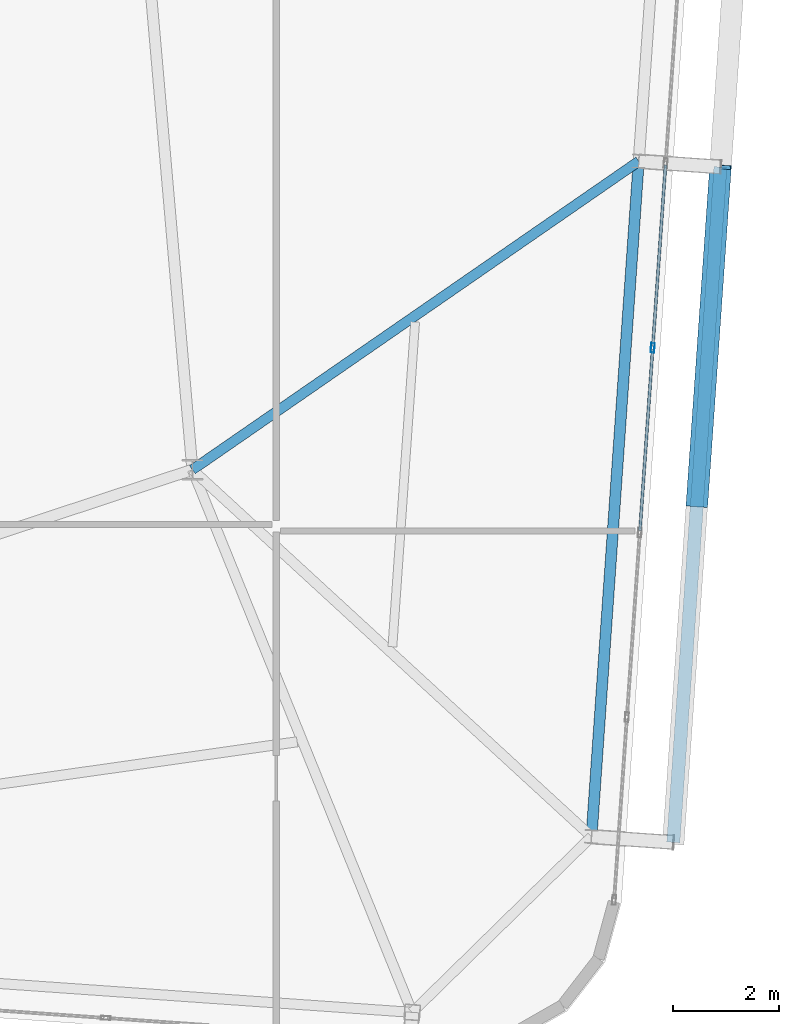
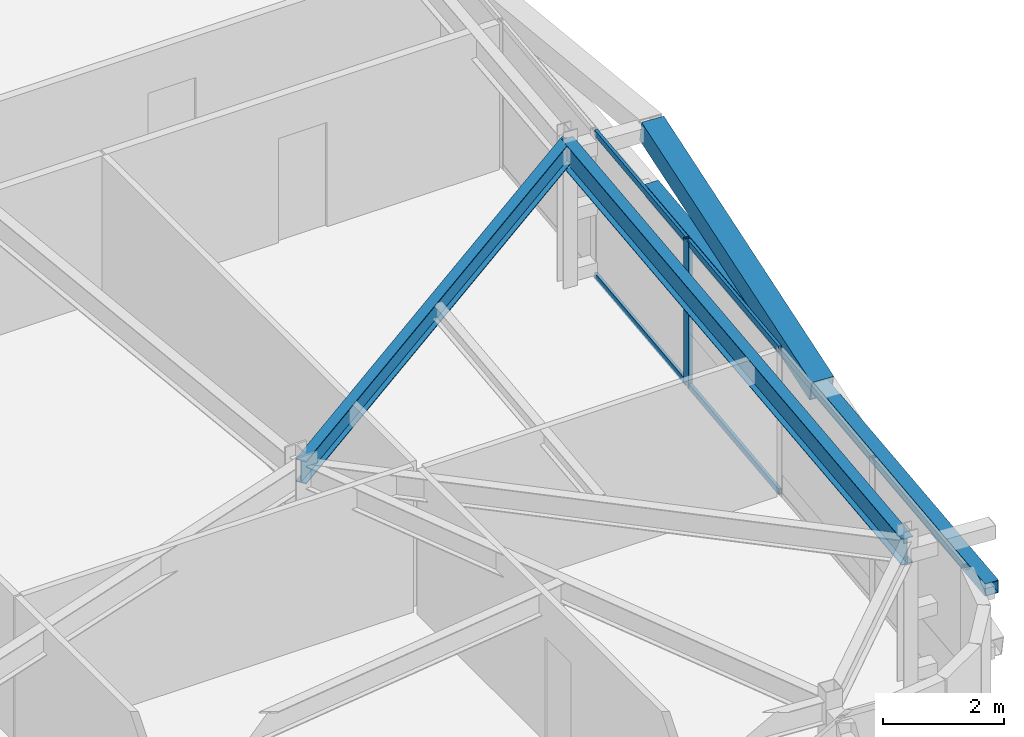
# One storey, part 22 of 47: 7 members, 2 beams, 1 element without a shape of its own.
"""IFC4 building model written with IfcOpenShell, lengths in metres."""

from ifc_helpers import new_model, si_unit, direction, frame, origin, origin_2d, place, context, subcontext, project, spatial, hollow_rectangle, i_section, extrude, source, transform, mapped, material, layer, layer_set, material_profile, profile_set, type_object, element, aggregate, save


model = new_model("IFC4")

# Units and contexts
model_context = context("Model", 3, precision=1e-05, world=origin(), true_north=direction((0.0, 1.0)))
body_context = subcontext(model_context, "Body", "Model", "MODEL_VIEW")
ifc_project = project(units=[si_unit("LENGTHUNIT", "METRE"), si_unit("AREAUNIT", "SQUARE_METRE"), si_unit("VOLUMEUNIT", "CUBIC_METRE"), si_unit("PLANEANGLEUNIT", "RADIAN"), si_unit("MASSUNIT", "GRAM", prefix="KILO")], contexts=[model_context])

# Site, building, storey
site_placement = place(None, origin())
site = spatial("IfcSite", under=ifc_project, at=site_placement, CompositionType="ELEMENT")
building_placement = place(site_placement, origin())
building = spatial("IfcBuilding", under=site, at=building_placement, Name="Taldren Reach Tower", CompositionType="ELEMENT")
storey_placement = place(building_placement, frame((0.0, 0.0, 139.300048828125)))
storey = spatial("IfcBuildingStorey", under=building, at=storey_placement, Name="L42", CompositionType="ELEMENT", Elevation=139.300048828125)

# Beams
ifc_material_1 = material(Name="Steel Gr 350 (350PLUS)", Category="steel")
ifc_material_profile_1 = material_profile(ifc_material_1, i_section(OverallWidth=0.208984375, OverallDepth=0.528076171875, WebThickness=0.009521484375, FlangeThickness=0.01318359375, at=origin_2d()), Name="530UB82.0")
ifc_profile_set_1 = profile_set([ifc_material_profile_1], Name="Steel Gr 350 (350PLUS)")
beam_type_1 = type_object("IfcBeamType", Name="SP-UB530B", PredefinedType="SPANDREL", material=ifc_profile_set_1)
shared_shape_1 = source(origin(), body_context, "Body", "SweptSolid", [
    extrude(i_section(OverallWidth=0.208984375, OverallDepth=0.528076171875, WebThickness=0.009521484375, FlangeThickness=0.01318359375, at=origin_2d()), origin(), (0.0, 0.0, 1.0), 12.80029296875),
])
beam_1_placement = place(storey_placement, frame((59.54541015625, 5.562744140625, 2.666015625), z_axis=(0.069750549628, 0.997564464497, 0.0), x_axis=(-0.997564464497, 0.069750549628, 0.0)))
element("IfcBeam", 1, at=beam_1_placement, inside=storey, type_object=beam_type_1, Name="Perimeter spandrel B3 E1-E2 L42", PredefinedType="SPANDREL", context=body_context, shape_type="MappedRepresentation", body=[
    mapped(shared_shape_1, transform((0.0, 0.0, 0.0), scale=1.0)),
])
ifc_material_profile_2 = material_profile(ifc_material_1, i_section(OverallWidth=0.19091796875, OverallDepth=0.4599609375, WebThickness=0.010009765625, FlangeThickness=0.01611328125, at=origin_2d()), Name="460UB82.1")
ifc_profile_set_2 = profile_set([ifc_material_profile_2], Name="Steel Gr 350 (350PLUS)")
beam_type_2 = type_object("IfcBeamType", Name="BM-UB460A", PredefinedType="BEAM", material=ifc_profile_set_2)
shared_shape_2 = source(origin(), body_context, "Body", "SweptSolid", [
    extrude(i_section(OverallWidth=0.19091796875, OverallDepth=0.4599609375, WebThickness=0.010009765625, FlangeThickness=0.01611328125, at=origin_2d()), origin(), (0.0, 0.0, 1.0), 10.25732421875),
])
beam_2_placement = place(storey_placement, frame((52.0, 12.5, 2.699951171875), z_axis=(0.822651197727, 0.568546398175, 0.0), x_axis=(-0.568546398175, 0.822651197727, 0.0)))
element("IfcBeam", 2, at=beam_2_placement, inside=storey, type_object=beam_type_2, Name="Primary floor girder B3-E2 L42", PredefinedType="BEAM", context=body_context, shape_type="MappedRepresentation", body=[
    mapped(shared_shape_2, transform((0.0, 0.0, 0.0), scale=1.0)),
])

# Members
ifc_material_2 = material(Name="Steel Gr 350 (C350L0)", Category="steel")
ifc_material_profile_3 = material_profile(ifc_material_2, hollow_rectangle(XDim=0.25, YDim=0.25, WallThickness=0.010009765625, at=origin_2d()), Name="250x250x10.0SHS")
ifc_profile_set_3 = profile_set([ifc_material_profile_3], Name="Steel Gr 350 (C350L0)")
member_type_1 = type_object("IfcMemberType", Name="MB-POST250", PredefinedType="POST", material=ifc_profile_set_3)
shared_shape_3 = source(origin(), body_context, "Body", "SweptSolid", [
    extrude(hollow_rectangle(XDim=0.25, YDim=0.25, WallThickness=0.010009765625, at=origin_2d()), origin(), (0.0, 0.0, 1.0), 12.800048828125),
])
member_1_placement = place(storey_placement, frame((61.091552734375, 5.454833984375, 1.43505859375), z_axis=(0.069751876777, 0.9975643717, 0.0), x_axis=(-0.9975643717, 0.069751876777, 0.0)))
element("IfcMember", 3, at=member_1_placement, inside=storey, type_object=member_type_1, Name="Exoskeleton mid-height ring chord B3-E1 L42", PredefinedType="POST", context=body_context, shape_type="MappedRepresentation", body=[
    mapped(shared_shape_3, transform((0.0, 0.0, 0.0), scale=1.0)),
])
ifc_material_3 = material(Name="Steel Gr 450 (C450L0)", Category="steel")
ifc_material_profile_4 = material_profile(ifc_material_3, hollow_rectangle(XDim=0.409912109375, YDim=0.409912109375, WallThickness=0.01611328125, at=origin_2d()), Name="410x410x16.0SHS")
ifc_profile_set_4 = profile_set([ifc_material_profile_4], Name="Steel Gr 450 (C450L0)")
member_type_2 = type_object("IfcMemberType", Name="MB-EXO406", PredefinedType="BRACE", material=ifc_profile_set_4)
shared_shape_4 = source(origin(), body_context, "Body", "SweptSolid", [
    extrude(hollow_rectangle(XDim=0.409912109375, YDim=0.409912109375, WallThickness=0.01611328125, at=origin_2d()), origin(), (0.0, 0.0, 1.0), 6.514404296875),
])
member_2_placement = place(storey_placement, frame((61.5380859375, 11.839111328125, 1.43505859375), z_axis=(0.068508304784, 0.980066016634, 0.186486501425), x_axis=(-0.997565791441, 0.069731569223, 0.0)))
element("IfcMember", 4, at=member_2_placement, inside=storey, type_object=member_type_2, Name="Exoskeleton Diagrid Brace B3-E1 L42", PredefinedType="BRACE", context=body_context, shape_type="MappedRepresentation", body=[
    mapped(shared_shape_4, transform((0.0, 0.0, 0.0), scale=1.0)),
])

# Curtain wall, members
ifc_material_4 = material(Name="Aluminium and Low-E Glass Unitised System", Category="aluminium")
ifc_layer = layer(ifc_material_4, 0.159912109375)
ifc_layer_set = layer_set([ifc_layer], Name="Aluminium and Low-E Glass Unitised System")
curtain_wall_type = type_object("IfcCurtainWallType", Name="CW-SYS-4", PredefinedType="NOTDEFINED", material=ifc_layer_set)
curtain_wall_placement = place(storey_placement, origin())
curtain_wall = element("IfcCurtainWall", 5, at=curtain_wall_placement, inside=storey, type_object=curtain_wall_type, Name="Unitised curtain wall CW-L42-E", PredefinedType="NOTDEFINED")
ifc_material_5 = material(Name="Anodised Aluminium 6063-T6", Category="aluminium")
ifc_material_profile_5 = material_profile(ifc_material_5, hollow_rectangle(XDim=0.070068359375, YDim=0.179931640625, WallThickness=0.00390625, at=origin_2d()), Name="ALU-180x70x4RHS")
ifc_profile_set_5 = profile_set([ifc_material_profile_5], Name="Anodised Aluminium 6063-T6")
member_type_3 = type_object("IfcMemberType", Name="CW-MUL-180", PredefinedType="MULLION", material=ifc_profile_set_5)
shared_shape_5 = source(origin(), body_context, "Body", "SweptSolid", [
    extrude(hollow_rectangle(XDim=0.070068359375, YDim=0.179931640625, WallThickness=0.00390625, at=origin_2d()), origin(), (0.0, 0.0, 1.0), 2.929931640625),
])
member_3_placement = place(storey_placement, frame((60.702880859375, 14.8046875, 0.0), z_axis=(0.0, 0.0, 1.0), x_axis=(-0.997564052812, 0.069756437251, 0.0)))
member_3 = element("IfcMember", 6, at=member_3_placement, type_object=member_type_3, Name="CW-4 mullion 4", PredefinedType="MULLION", context=body_context, shape_type="MappedRepresentation", body=[
    mapped(shared_shape_5, transform((0.0, 0.0, 0.0), scale=1.0)),
])
ifc_material_profile_6 = material_profile(ifc_material_5, hollow_rectangle(XDim=0.054931640625, YDim=0.1201171875, WallThickness=0.0029296875, at=origin_2d()), Name="ALU-120x55x3RHS")
ifc_profile_set_6 = profile_set([ifc_material_profile_6], Name="Anodised Aluminium 6063-T6")
member_type_4 = type_object("IfcMemberType", Name="CW-TRN-135", PredefinedType="USERDEFINED", material=ifc_profile_set_6)
shared_shape_6 = source(origin(), body_context, "Body", "SweptSolid", [
    extrude(hollow_rectangle(XDim=0.054931640625, YDim=0.1201171875, WallThickness=0.0029296875, at=origin_2d()), origin(), (0.0, 0.0, 1.0), 3.429931640625),
])
member_4_placement = place(storey_placement, frame((60.461181640625, 11.34814453125, 0.02734375), z_axis=(0.069754754695, 0.997564170466, 0.0), x_axis=(-0.997564170466, 0.069754754695, 0.0)))
member_4 = element("IfcMember", 7, at=member_4_placement, type_object=member_type_4, Name="CW-4 transom 3.1", ObjectType="TRANSOM", PredefinedType="USERDEFINED", context=body_context, shape_type="MappedRepresentation", body=[
    mapped(shared_shape_6, transform((0.0, 0.0, 0.0), scale=1.0)),
])
member_5_placement = place(storey_placement, frame((60.461181640625, 11.34814453125, 2.90234375), z_axis=(0.069754754695, 0.997564170466, 0.0), x_axis=(-0.997564170466, 0.069754754695, 0.0)))
member_5 = element("IfcMember", 8, at=member_5_placement, type_object=member_type_4, Name="CW-4 transom 3.2", ObjectType="TRANSOM", PredefinedType="USERDEFINED", context=body_context, shape_type="MappedRepresentation", body=[
    mapped(shared_shape_6, transform((0.0, 0.0, 0.0), scale=1.0)),
])
member_6_placement = place(storey_placement, frame((60.705322265625, 14.839599609375, 0.02734375), z_axis=(0.069754754695, 0.997564170466, 0.0), x_axis=(-0.997564170466, 0.069754754695, 0.0)))
member_6 = element("IfcMember", 9, at=member_6_placement, type_object=member_type_4, Name="CW-4 transom 4.1", ObjectType="TRANSOM", PredefinedType="USERDEFINED", context=body_context, shape_type="MappedRepresentation", body=[
    mapped(shared_shape_6, transform((0.0, 0.0, 0.0), scale=1.0)),
])
member_7_placement = place(storey_placement, frame((60.705322265625, 14.839599609375, 2.90234375), z_axis=(0.069754754695, 0.997564170466, 0.0), x_axis=(-0.997564170466, 0.069754754695, 0.0)))
member_7 = element("IfcMember", 10, at=member_7_placement, type_object=member_type_4, Name="CW-4 transom 4.2", ObjectType="TRANSOM", PredefinedType="USERDEFINED", context=body_context, shape_type="MappedRepresentation", body=[
    mapped(shared_shape_6, transform((0.0, 0.0, 0.0), scale=1.0)),
])
aggregate(curtain_wall, [member_3, member_4, member_5, member_6, member_7])

save(model, "model.ifc")
